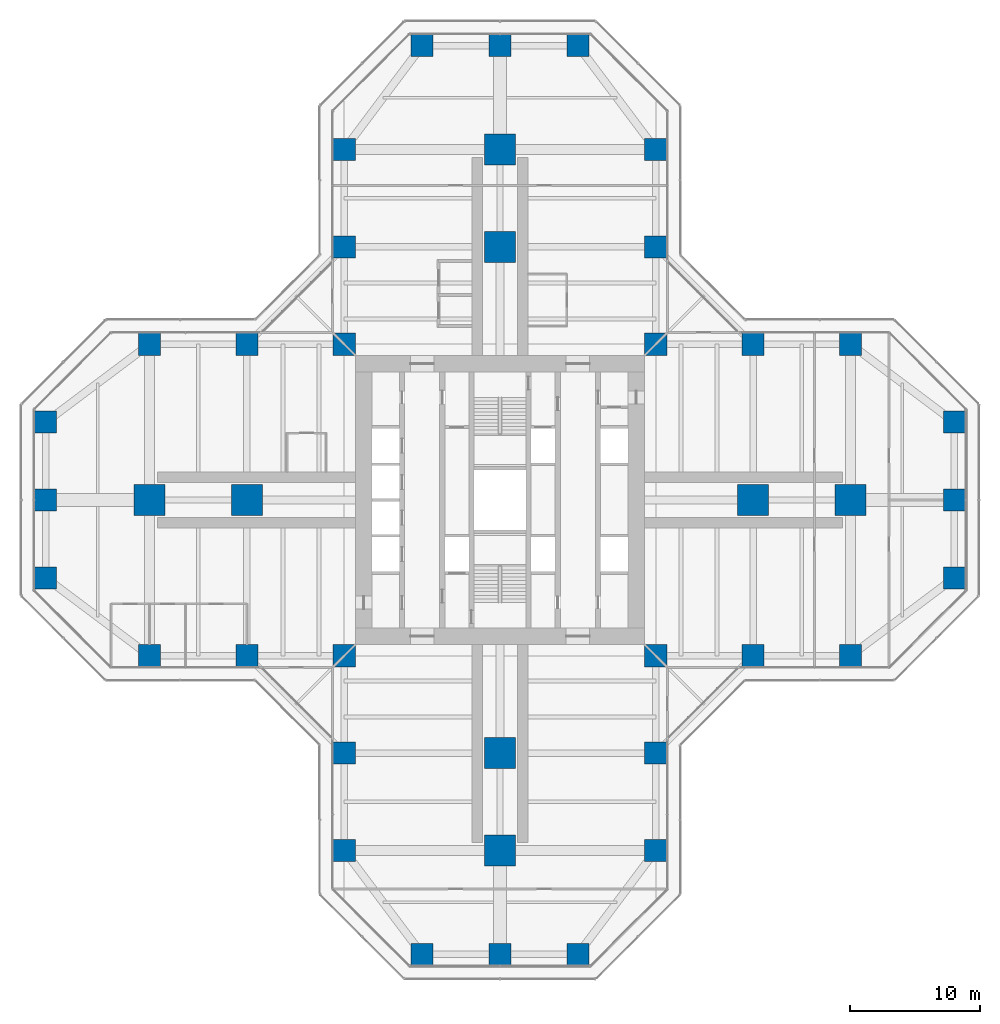
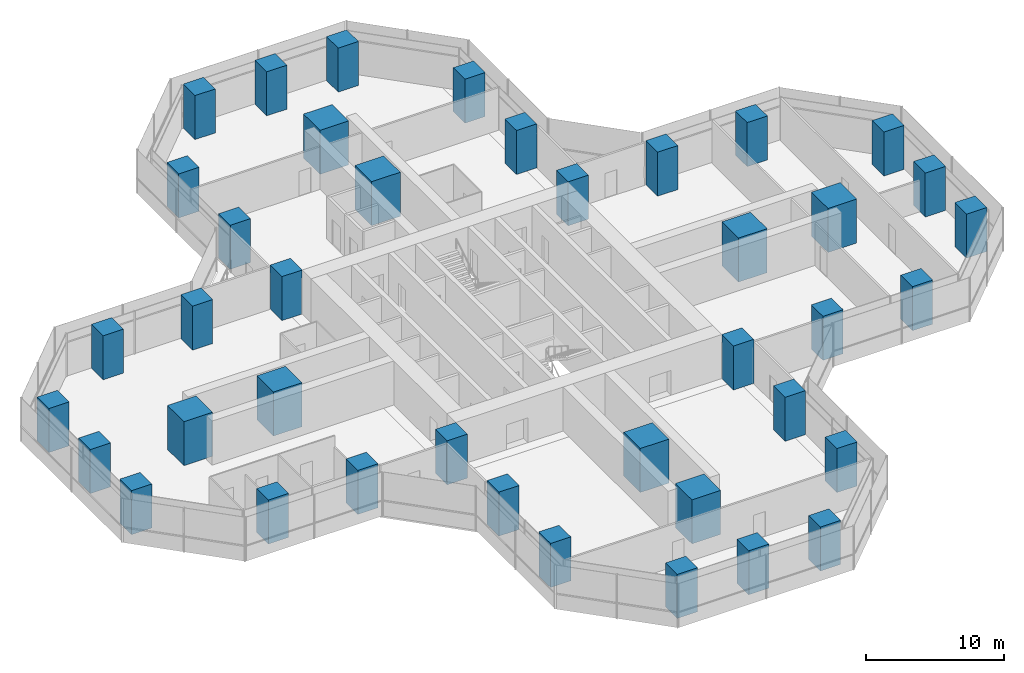
# One storey, part 1 of 22: 40 columns.
"""IFC4 building model written with IfcOpenShell, lengths in metres."""

import ifcopenshell
import ifcopenshell.guid

model = None  # the IFC model being written
_history = None  # IfcOwnerHistory: only IFC2X3 demands one
_inside = {}  # id of a spatial element -> (the spatial element, [elements in it])
_under = {}  # id of a project, library or spatial element -> (it, [spatial elements below it])
_declared = {}  # id of a project -> (the project, [libraries it declares])
_typed = {}  # id of a type object -> (the type object, [elements of that type])
_made_of = {}  # id of a material, layer set ... -> (it, [elements and type objects made of it])


def new_model(schema):
    """Start an empty IFC model of exactly this schema.

    Asked for "IFC4X3", IfcOpenShell would pick the latest addendum, in which some entities
    have other attributes; the version numbers below select the first issue.
    IFC2X3 requires an IfcOwnerHistory on every rooted entity: one is made here for all.
    """
    global model, _history
    if schema == "IFC4X3":
        model = ifcopenshell.file(schema_version=(4, 3, 0, 0))
    else:
        model = ifcopenshell.file(schema=schema)
    _inside.clear()
    _under.clear()
    _declared.clear()
    _typed.clear()
    _made_of.clear()
    _history = None
    if model.schema == "IFC2X3":
        org = make("IfcOrganization", Name="unknown")
        user = make(
            "IfcPersonAndOrganization",
            ThePerson=make("IfcPerson", FamilyName="unknown"),
            TheOrganization=org,
        )
        app = make(
            "IfcApplication",
            ApplicationDeveloper=org,
            Version="unknown",
            ApplicationFullName="unknown",
            ApplicationIdentifier="unknown",
        )
        _history = make(
            "IfcOwnerHistory",
            OwningUser=user,
            OwningApplication=app,
            ChangeAction="ADDED",
            CreationDate=0,
        )
    return model


def make(cls, **values):
    """One entity of the class cls with the attributes given. An attribute that is None is left unset."""
    return model.create_entity(
        cls, **{name: value for name, value in values.items() if value is not None}
    )


def rooted(cls, **values):
    """An entity with a GlobalId (a new one), such as an element, a storey or a relation."""
    return make(cls, GlobalId=ifcopenshell.guid.new(), OwnerHistory=_history, **values)


def si_unit(unit_type, name, prefix=None):
    """IfcSIUnit, for example si_unit("LENGTHUNIT", "METRE", prefix="MILLI")."""
    return make("IfcSIUnit", UnitType=unit_type, Prefix=prefix, Name=name)


def assignment(units):
    """IfcUnitAssignment: the units of a project."""
    return None if units is None else make("IfcUnitAssignment", Units=units)


def point(xyz):
    """IfcCartesianPoint."""
    return None if xyz is None else make("IfcCartesianPoint", Coordinates=xyz)


def direction(xyz):
    """IfcDirection."""
    return None if xyz is None else make("IfcDirection", DirectionRatios=xyz)


def frame(location, z_axis=None, x_axis=None):
    """IfcAxis2Placement3D, a coordinate frame: its origin and axes. An axis left out is left unset."""
    return make(
        "IfcAxis2Placement3D",
        Location=point(location),
        Axis=direction(z_axis),
        RefDirection=direction(x_axis),
    )


def frame_2d(location, x_axis=None):
    """IfcAxis2Placement2D, a coordinate frame in the plane: its origin and x axis."""
    return make(
        "IfcAxis2Placement2D", Location=point(location), RefDirection=direction(x_axis)
    )


def origin():
    """The frame at (0, 0, 0) with its axes left unset."""
    return frame((0.0, 0.0, 0.0))


def origin_2d():
    """The frame at (0, 0) in the plane with its x axis left unset."""
    return frame_2d((0.0, 0.0))


def place(relative_to, where):
    """IfcLocalPlacement: puts the frame where relative to a parent placement (None: the world)."""
    return make(
        "IfcLocalPlacement", PlacementRelTo=relative_to, RelativePlacement=where
    )


def context(
    kind, dimensions, precision=None, world=None, true_north=None, identifier=None
):
    """IfcGeometricRepresentationContext, for example the 3D "Model" context."""
    return make(
        "IfcGeometricRepresentationContext",
        ContextIdentifier=identifier,
        ContextType=kind,
        CoordinateSpaceDimension=dimensions,
        Precision=precision,
        WorldCoordinateSystem=world,
        TrueNorth=true_north,
    )


def subcontext(parent, identifier, kind, view, scale=None):
    """IfcGeometricRepresentationSubContext, for example "Body" below "Model"."""
    return make(
        "IfcGeometricRepresentationSubContext",
        ContextIdentifier=identifier,
        ContextType=kind,
        ParentContext=parent,
        TargetScale=scale,
        TargetView=view,
    )


def project(units=None, contexts=None):
    """IfcProject with its units and contexts."""
    return rooted(
        "IfcProject",
        Name="project",
        RepresentationContexts=contexts,
        UnitsInContext=assignment(units),
    )


def spatial(cls, under=None, at=None, **own):
    """A site, building, storey or space (cls), placed at a placement, below another one or the project."""
    s = rooted(cls, ObjectPlacement=at, **own)
    if under is not None:
        _under.setdefault(under.id(), (under, []))[1].append(s)
    return s


def profile(cls, at=None, kind="AREA", **sizes):
    """A parametric profile (cls). Its sizes go by their IFC names, for example OverallWidth=200.0."""
    return make(cls, ProfileType=kind, Position=at, **sizes)


def rectangle(**sizes):
    """IfcRectangleProfileDef."""
    return profile("IfcRectangleProfileDef", **sizes)


def extrude(swept, where, along, depth):
    """IfcExtrudedAreaSolid: the profile swept, set in the frame where, extruded along a direction by depth."""
    return make(
        "IfcExtrudedAreaSolid",
        SweptArea=swept,
        Position=where,
        ExtrudedDirection=direction(along),
        Depth=depth,
    )


def shape(context_of_items, identifier, shape_type, items):
    """IfcShapeRepresentation: the items that make up one representation, for example the "Body"."""
    return make(
        "IfcShapeRepresentation",
        ContextOfItems=context_of_items,
        RepresentationIdentifier=identifier,
        RepresentationType=shape_type,
        Items=items,
    )


def material(Name=None, Category=None):
    """IfcMaterial."""
    return make("IfcMaterial", Name=Name, Category=Category)


def material_profile(
    of_material, cross_section, Name=None, Category=None, Priority=None
):
    """IfcMaterialProfile: a cross section and its material."""
    return make(
        "IfcMaterialProfile",
        Name=Name,
        Material=of_material,
        Profile=cross_section,
        Priority=Priority,
        Category=Category,
    )


def profile_set(profiles, Name=None, composite=None):
    """IfcMaterialProfileSet."""
    return make(
        "IfcMaterialProfileSet",
        Name=Name,
        MaterialProfiles=profiles,
        CompositeProfile=composite,
    )


def made_of(thing, what):
    """Note that an element or type object is made of a material, layer set ...; save() writes the relation."""
    if what is not None:
        _made_of.setdefault(what.id(), (what, []))[1].append(thing)
    return thing


def type_object(cls, material=None, **own):
    """A type object (cls), such as IfcWallType, which elements share."""
    return made_of(rooted(cls, **own), material)


def element(
    cls,
    number,
    at=None,
    inside=None,
    cuts=None,
    type_object=None,
    material=None,
    context=None,
    identifier="Body",
    shape_type=None,
    held_by="IfcProductDefinitionShape",
    body=None,
    shapes=None,
    **own,
):
    """One element of the class cls, such as IfcWall. Its Tag is "e" and its number.

    at: its placement. inside: the storey or other place that contains it. cuts: it is an
    opening in that element (IfcRelVoidsElement). A single representation is given by context,
    identifier, shape_type and body (its items); several are given by shapes. held_by: the class
    of the entity that holds the representations. save() writes the other relations.
    """
    e = rooted(cls, Tag="e%d" % number, ObjectPlacement=at, **own)
    if body is not None:
        shapes = [shape(context, identifier, shape_type, body)]
    if shapes is not None:
        e.Representation = make(held_by, Representations=shapes)
    if inside is not None:
        _inside.setdefault(inside.id(), (inside, []))[1].append(e)
    if cuts is not None:
        rooted(
            "IfcRelVoidsElement", RelatingBuildingElement=cuts, RelatedOpeningElement=e
        )
    if type_object is not None:
        _typed.setdefault(type_object.id(), (type_object, []))[1].append(e)
    return made_of(e, material)


def aggregate(whole, parts):
    """IfcRelAggregates: a whole, such as a stair, and the parts it consists of."""
    return rooted("IfcRelAggregates", RelatingObject=whole, RelatedObjects=parts)


def save(model, path):
    """Write the relations noted so far, then the file.

    IfcRelAggregates (storeys below a building ...), IfcRelContainedInSpatialStructure (elements
    in a storey), IfcRelDefinesByType, IfcRelAssociatesMaterial and IfcRelDeclares: one each for
    every whole, place, type object, material and project.
    """
    for whole, parts in _under.values():
        aggregate(whole, parts)
    for where, things in _inside.values():
        rooted(
            "IfcRelContainedInSpatialStructure",
            RelatedElements=things,
            RelatingStructure=where,
        )
    for kind, things in _typed.values():
        rooted("IfcRelDefinesByType", RelatedObjects=things, RelatingType=kind)
    for what, things in _made_of.values():
        rooted("IfcRelAssociatesMaterial", RelatedObjects=things, RelatingMaterial=what)
    for by, libraries in _declared.values():
        rooted("IfcRelDeclares", RelatingContext=by, RelatedDefinitions=libraries)
    model.write(path)


model = new_model("IFC4")

# Units and contexts
model_context = context("Model", 3, precision=1e-05, world=origin(), true_north=direction((0.0, 1.0)))
body_context = subcontext(model_context, "Body", "Model", "MODEL_VIEW")
ifc_project = project(units=[si_unit("LENGTHUNIT", "METRE"), si_unit("AREAUNIT", "SQUARE_METRE"), si_unit("VOLUMEUNIT", "CUBIC_METRE"), si_unit("PLANEANGLEUNIT", "RADIAN"), si_unit("MASSUNIT", "GRAM", prefix="KILO")], contexts=[model_context])

# Site, building, storey
site_placement = place(None, origin())
site = spatial("IfcSite", under=ifc_project, at=site_placement, CompositionType="ELEMENT")
building_placement = place(site_placement, origin())
building = spatial("IfcBuilding", under=site, at=building_placement, Name="Mizan Broadcast Tower", CompositionType="ELEMENT")
storey_placement = place(building_placement, frame((0.0, 0.0, 66.89990234375)))
storey = spatial("IfcBuildingStorey", under=building, at=storey_placement, Name="L13", CompositionType="ELEMENT", Elevation=66.89990234375)

# Columns
ifc_material_1 = material(Name="Concrete C70/85", Category="concrete")
ifc_material_profile_1 = material_profile(ifc_material_1, rectangle(XDim=1.699951171875, YDim=1.699951171875, at=origin_2d()), Name="RC 1700x1700")
ifc_profile_set_1 = profile_set([ifc_material_profile_1], Name="Concrete C70/85")
column_type_1 = type_object("IfcColumnType", Name="RC COLUMN 1700x1700 C70/85", PredefinedType="COLUMN", material=ifc_profile_set_1)
for number, where, z_axis, x_axis, name in (
    (1, (-6.0, -35.0, 0.0), (0.0, 0.0, 1.0), (1.0, 0.0, 0.0), "Column 5/A L13"),
    (2, (0.0, -35.0, 0.0), (0.0, 0.0, 1.0), (1.0, 0.0, 0.0), "Column 6/A L13"),
    (3, (6.0, -35.0, 0.0), (0.0, 0.0, 1.0), (1.0, 0.0, 0.0), "Column 7/A L13"),
    (4, (-12.0, -27.0, 0.0), (0.0, 0.0, 1.0), (1.0, 0.0, 0.0), "Column 4/B L13"),
    (5, (12.0, -27.0, 0.0), (0.0, 0.0, 1.0), (1.0, 0.0, 0.0), "Column 8/B L13"),
    (6, (-12.0, -19.5, 0.0), (0.0, 0.0, 1.0), (1.0, 0.0, 0.0), "Column 4/C L13"),
    (7, (12.0, -19.5, 0.0), (0.0, 0.0, 1.0), (1.0, 0.0, 0.0), "Column 8/C L13"),
    (8, (-27.0, -12.0, 0.0), (0.0, 0.0, 1.0), (1.0, 0.0, 0.0), "Column 2/D L13"),
    (9, (-19.5, -12.0, 0.0), (0.0, 0.0, 1.0), (1.0, 0.0, 0.0), "Column 3/D L13"),
    (10, (-12.0, -12.0, 0.0), (0.0, 0.0, 1.0), (1.0, 0.0, 0.0), "Column 4/D L13"),
    (11, (12.0, -12.0, 0.0), (0.0, 0.0, 1.0), (1.0, 0.0, 0.0), "Column 8/D L13"),
    (12, (19.5, -12.0, 0.0), (0.0, 0.0, 1.0), (1.0, 0.0, 0.0), "Column 9/D L13"),
    (13, (27.0, -12.0, 0.0), (0.0, 0.0, 1.0), (1.0, 0.0, 0.0), "Column 10/D L13"),
    (14, (-35.0, -6.0, 0.0), (0.0, 0.0, 1.0), (1.0, 0.0, 0.0), "Column 1/E L13"),
    (15, (35.0, -6.0, 0.0), (0.0, 0.0, 1.0), (1.0, 0.0, 0.0), "Column 11/E L13"),
    (16, (-35.0, 0.0, 0.0), (0.0, 0.0, 1.0), (1.0, 0.0, 0.0), "Column 1/F L13"),
    (17, (35.0, 0.0, 0.0), (0.0, 0.0, 1.0), (1.0, 0.0, 0.0), "Column 11/F L13"),
    (18, (-35.0, 6.0, 0.0), (0.0, 0.0, 1.0), (1.0, 0.0, 0.0), "Column 1/G L13"),
    (19, (35.0, 6.0, 0.0), (0.0, 0.0, 1.0), (1.0, 0.0, 0.0), "Column 11/G L13"),
    (20, (-27.0, 12.0, 0.0), (0.0, 0.0, 1.0), (1.0, 0.0, 0.0), "Column 2/H L13"),
    (21, (-19.5, 12.0, 0.0), (0.0, 0.0, 1.0), (1.0, 0.0, 0.0), "Column 3/H L13"),
    (22, (-12.0, 12.0, 0.0), (0.0, 0.0, 1.0), (1.0, 0.0, 0.0), "Column 4/H L13"),
    (23, (12.0, 12.0, 0.0), (0.0, 0.0, 1.0), (1.0, 0.0, 0.0), "Column 8/H L13"),
    (24, (19.5, 12.0, 0.0), (0.0, 0.0, 1.0), (1.0, 0.0, 0.0), "Column 9/H L13"),
    (25, (27.0, 12.0, 0.0), (0.0, 0.0, 1.0), (1.0, 0.0, 0.0), "Column 10/H L13"),
    (26, (-12.0, 19.5, 0.0), (0.0, 0.0, 1.0), (1.0, 0.0, 0.0), "Column 4/J L13"),
    (27, (12.0, 19.5, 0.0), (0.0, 0.0, 1.0), (1.0, 0.0, 0.0), "Column 8/J L13"),
    (28, (-12.0, 27.0, 0.0), (0.0, 0.0, 1.0), (1.0, 0.0, 0.0), "Column 4/K L13"),
    (29, (12.0, 27.0, 0.0), (0.0, 0.0, 1.0), (1.0, 0.0, 0.0), "Column 8/K L13"),
    (30, (-6.0, 35.0, 0.0), (0.0, 0.0, 1.0), (1.0, 0.0, 0.0), "Column 5/L L13"),
    (31, (0.0, 35.0, 0.0), (0.0, 0.0, 1.0), (1.0, 0.0, 0.0), "Column 6/L L13"),
    (32, (6.0, 35.0, 0.0), (0.0, 0.0, 1.0), (1.0, 0.0, 0.0), "Column 7/L L13"),
):
    element("IfcColumn", number, at=place(storey_placement, frame(where, z_axis=z_axis, x_axis=x_axis)), inside=storey, type_object=column_type_1, Name=name, PredefinedType="COLUMN", context=body_context, shape_type="SweptSolid", body=[
        extrude(rectangle(XDim=1.699951171875, YDim=1.699951171875, at=origin_2d()), origin(), (0.0, 0.0, 1.0), 3.900146484375),
    ])
ifc_material_2 = material(Name="Concrete C70/85", Category="concrete")
ifc_material_profile_2 = material_profile(ifc_material_2, rectangle(XDim=2.39990234375, YDim=2.39990234375, at=origin_2d()), Name="RC 2400x2400")
ifc_profile_set_2 = profile_set([ifc_material_profile_2], Name="Concrete C70/85")
column_type_2 = type_object("IfcColumnType", Name="RC COLUMN 2400x2400 C70/85", PredefinedType="COLUMN", material=ifc_profile_set_2)
for number, where, z_axis, x_axis, name in (
    (33, (0.0, -27.0, 0.0), (0.0, 0.0, 1.0), (1.0, 0.0, 0.0), "Column 6/B L13"),
    (34, (0.0, -19.5, 0.0), (0.0, 0.0, 1.0), (1.0, 0.0, 0.0), "Column 6/C L13"),
    (35, (-27.0, 0.0, 0.0), (0.0, 0.0, 1.0), (1.0, 0.0, 0.0), "Column 2/F L13"),
    (36, (-19.5, 0.0, 0.0), (0.0, 0.0, 1.0), (1.0, 0.0, 0.0), "Column 3/F L13"),
    (37, (19.5, 0.0, 0.0), (0.0, 0.0, 1.0), (1.0, 0.0, 0.0), "Column 9/F L13"),
    (38, (27.0, 0.0, 0.0), (0.0, 0.0, 1.0), (1.0, 0.0, 0.0), "Column 10/F L13"),
    (39, (0.0, 19.5, 0.0), (0.0, 0.0, 1.0), (1.0, 0.0, 0.0), "Column 6/J L13"),
    (40, (0.0, 27.0, 0.0), (0.0, 0.0, 1.0), (1.0, 0.0, 0.0), "Column 6/K L13"),
):
    element("IfcColumn", number, at=place(storey_placement, frame(where, z_axis=z_axis, x_axis=x_axis)), inside=storey, type_object=column_type_2, Name=name, PredefinedType="COLUMN", context=body_context, shape_type="SweptSolid", body=[
        extrude(rectangle(XDim=2.39990234375, YDim=2.39990234375, at=origin_2d()), origin(), (0.0, 0.0, 1.0), 3.900146484375),
    ])

save(model, "model.ifc")
